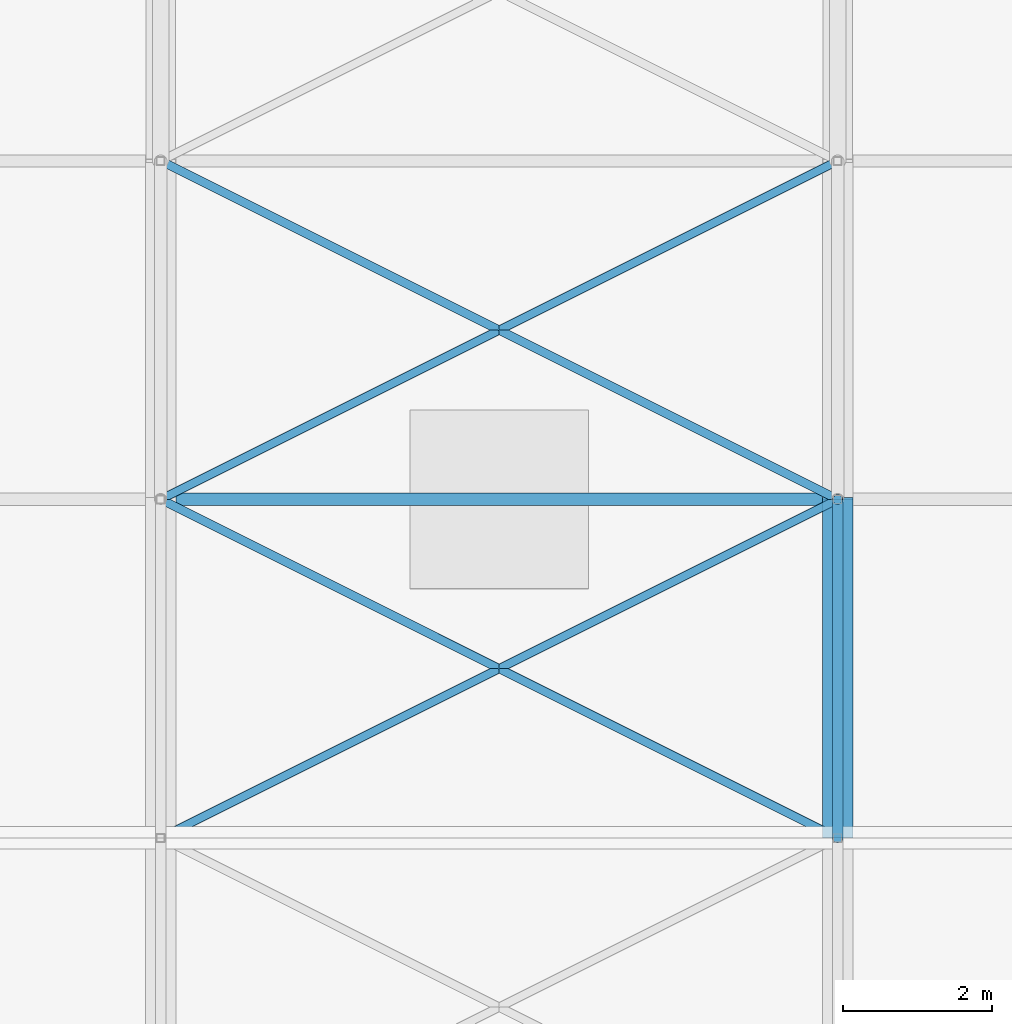
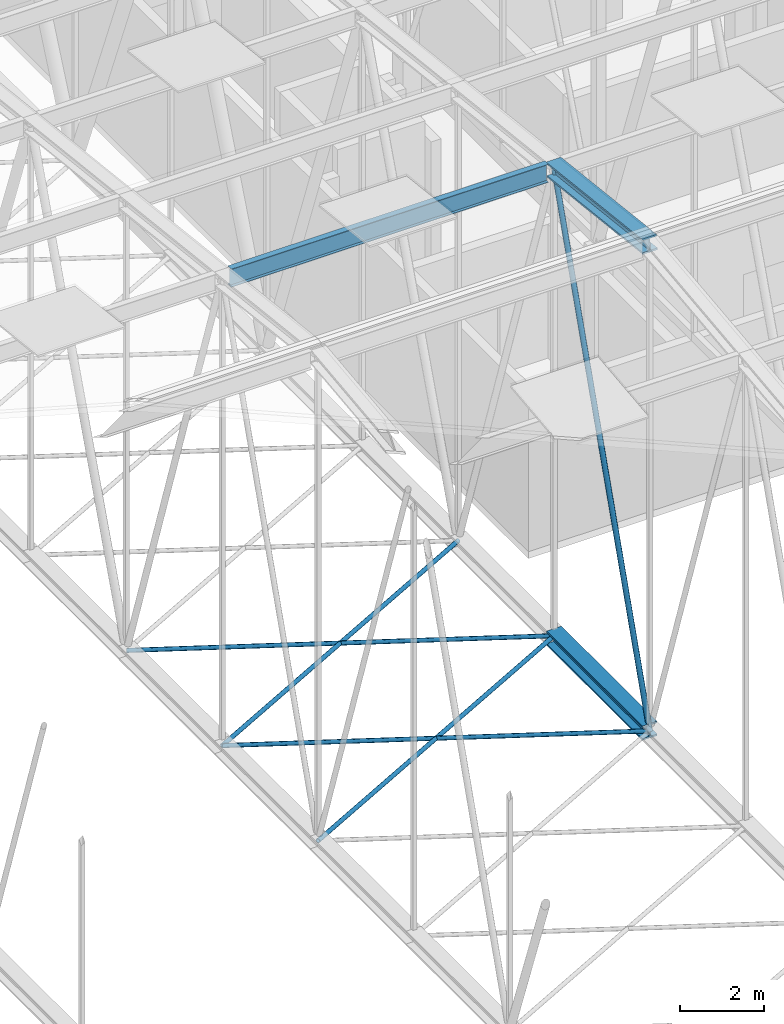
# One storey, part 272 of 500: 8 members.
"""IFC4 building model written with IfcOpenShell, lengths in metres."""

from ifc_helpers import new_model, si_unit, direction, frame, origin, origin_2d, place, context, subcontext, project, spatial, hollow_circle, i_section, extrude, material, material_profile, profile_set, type_object, element, save


model = new_model("IFC4")

# Units and contexts
model_context = context("Model", 3, precision=1e-05, world=origin(), true_north=direction((0.0, 1.0)))
body_context = subcontext(model_context, "Body", "Model", "MODEL_VIEW")
ifc_project = project(units=[si_unit("LENGTHUNIT", "METRE"), si_unit("AREAUNIT", "SQUARE_METRE"), si_unit("VOLUMEUNIT", "CUBIC_METRE"), si_unit("PLANEANGLEUNIT", "RADIAN"), si_unit("MASSUNIT", "GRAM", prefix="KILO")], contexts=[model_context])

# Site, building, storey
site_placement = place(None, origin())
site = spatial("IfcSite", under=ifc_project, at=site_placement, CompositionType="ELEMENT")
building_placement = place(site_placement, origin())
building = spatial("IfcBuilding", under=site, at=building_placement, Name="Shirokan Park Arena", CompositionType="ELEMENT")
storey_placement = place(building_placement, frame((0.0, 0.0, 29.1201171875)))
storey = spatial("IfcBuildingStorey", under=building, at=storey_placement, Name="L06", CompositionType="ELEMENT", Elevation=29.1201171875)

# Members
ifc_material_1 = material(Name="Steel ASTM A992", Category="steel")
ifc_material_profile_1 = material_profile(ifc_material_1, i_section(OverallWidth=0.406005859375, OverallDepth=0.4169921875, WebThickness=0.030029296875, FlangeThickness=0.048095703125, at=origin_2d()), Name="W360X382")
ifc_profile_set_1 = profile_set([ifc_material_profile_1], Name="Steel ASTM A992")
member_type_1 = type_object("IfcMemberType", Name="Bottom chord W360X382", PredefinedType="CHORD", material=ifc_profile_set_1)
member_1_placement = place(storey_placement, frame((100.10009765625, 54.60009765625, 4.677001953125), z_axis=(0.0, 1.0, 0.0), x_axis=(-1.0, 0.0, 0.0)))
element("IfcMember", 1, at=member_1_placement, inside=storey, type_object=member_type_1, Name="Truss T12 bottom chord 15", PredefinedType="CHORD", context=body_context, shape_type="SweptSolid", body=[
    extrude(i_section(OverallWidth=0.406005859375, OverallDepth=0.4169921875, WebThickness=0.030029296875, FlangeThickness=0.048095703125, at=origin_2d()), origin(), (0.0, 0.0, 1.0), 4.5498046875),
])
ifc_material_2 = material(Name="Steel ASTM A500 Grade C", Category="steel")
ifc_material_profile_2 = material_profile(ifc_material_2, hollow_circle(Radius=0.056884765625, WallThickness=0.006103515625, at=origin_2d()), Name="HSS114.3X6")
ifc_profile_set_2 = profile_set([ifc_material_profile_2], Name="Steel ASTM A500 Grade C")
member_type_2 = type_object("IfcMemberType", Name="Plan bracing HSS114.3X6", PredefinedType="BRACE", material=ifc_profile_set_2)
for number, where, z_axis, x_axis, name in (
    (2, (91.0, 54.60009765625, 4.677001953125), (0.8944367893, 0.447194398385, 0.0), (-0.447194398385, 0.8944367893, 0.0), "Plan bracing bay 11 panel 15 A"),
    (3, (100.10009765625, 54.60009765625, 4.677001953125), (-0.8944367893, 0.447194398385, 0.0), (-0.447194398385, -0.8944367893, 0.0), "Plan bracing bay 11 panel 15 B"),
):
    element("IfcMember", number, at=place(storey_placement, frame(where, z_axis=z_axis, x_axis=x_axis)), inside=storey, type_object=member_type_2, Name=name, PredefinedType="BRACE", context=body_context, shape_type="SweptSolid", body=[
        extrude(hollow_circle(Radius=0.056884765625, WallThickness=0.006103515625, at=origin_2d()), origin(), (0.0, 0.0, 1.0), 10.174072265625),
    ])
for number, where, z_axis, x_axis, name in (
    (4, (91.0, 59.14990234375, 4.677001953125), (0.894427191, 0.4472135955, 0.0), (-0.4472135955, 0.894427191, 0.0), "Plan bracing bay 11 panel 16 A"),
    (5, (100.10009765625, 59.14990234375, 4.677001953125), (-0.894427191, 0.4472135955, 0.0), (-0.4472135955, -0.894427191, 0.0), "Plan bracing bay 11 panel 16 B"),
):
    element("IfcMember", number, at=place(storey_placement, frame(where, z_axis=z_axis, x_axis=x_axis)), inside=storey, type_object=member_type_2, Name=name, PredefinedType="BRACE", context=body_context, shape_type="SweptSolid", body=[
        extrude(hollow_circle(Radius=0.056884765625, WallThickness=0.006103515625, at=origin_2d()), origin(), (0.0, 0.0, 1.0), 10.17431640625),
    ])
ifc_material_profile_3 = material_profile(ifc_material_1, i_section(OverallWidth=0.166015625, OverallDepth=0.528076171875, WebThickness=0.009765625, FlangeThickness=0.013671875, at=origin_2d()), Name="W530X74")
ifc_profile_set_3 = profile_set([ifc_material_profile_3], Name="Steel ASTM A992")
member_type_3 = type_object("IfcMemberType", Name="Purlin W530X74", PredefinedType="PURLIN", material=ifc_profile_set_3)
member_2_placement = place(storey_placement, frame((91.202880859375, 59.14990234375, 18.205810546875), z_axis=(1.0, 0.0, 0.0), x_axis=(0.0, 1.0, 0.0)))
element("IfcMember", 6, at=member_2_placement, inside=storey, type_object=member_type_3, Name="Purlin 16 bay 11", PredefinedType="PURLIN", context=body_context, shape_type="SweptSolid", body=[
    extrude(i_section(OverallWidth=0.166015625, OverallDepth=0.528076171875, WebThickness=0.009765625, FlangeThickness=0.013671875, at=origin_2d()), origin(), (0.0, 0.0, 1.0), 8.694091796875),
])
ifc_material_profile_4 = material_profile(ifc_material_1, i_section(OverallWidth=0.406005859375, OverallDepth=0.4169921875, WebThickness=0.030029296875, FlangeThickness=0.048095703125, at=origin_2d()), Name="W360X382")
ifc_profile_set_4 = profile_set([ifc_material_profile_4], Name="Steel ASTM A992")
member_type_4 = type_object("IfcMemberType", Name="Top chord W360X382", PredefinedType="CHORD", material=ifc_profile_set_4)
member_3_placement = place(storey_placement, frame((100.10009765625, 54.60009765625, 18.781494140625), z_axis=(0.0, 0.993531641592, -0.11355561261), x_axis=(-1.0, 0.0, 0.0)))
element("IfcMember", 7, at=member_3_placement, inside=storey, type_object=member_type_4, Name="Truss T12 top chord 15", PredefinedType="CHORD", context=body_context, shape_type="SweptSolid", body=[
    extrude(i_section(OverallWidth=0.406005859375, OverallDepth=0.4169921875, WebThickness=0.030029296875, FlangeThickness=0.048095703125, at=origin_2d()), origin(), (0.0, 0.0, 1.0), 4.579345703125),
])
ifc_material_profile_5 = material_profile(ifc_material_2, hollow_circle(Radius=0.070556640625, WallThickness=0.006591796875, at=origin_2d()), Name="HSS141.3X6.6")
ifc_profile_set_5 = profile_set([ifc_material_profile_5], Name="Steel ASTM A500 Grade C")
member_type_5 = type_object("IfcMemberType", Name="Truss diagonal HSS141.3X6.6", PredefinedType="BRACE", material=ifc_profile_set_5)
member_4_placement = place(storey_placement, frame((100.10009765625, 54.60009765625, 4.677001953125), z_axis=(0.0, 0.317587361237, 0.948229016632), x_axis=(-1.0, 0.0, 0.0)))
element("IfcMember", 8, at=member_4_placement, inside=storey, type_object=member_type_5, Name="Truss T12 diagonal 15", PredefinedType="BRACE", context=body_context, shape_type="SweptSolid", body=[
    extrude(hollow_circle(Radius=0.070556640625, WallThickness=0.006591796875, at=origin_2d()), origin(), (0.0, 0.0, 1.0), 14.326171875),
])

save(model, "model.ifc")
